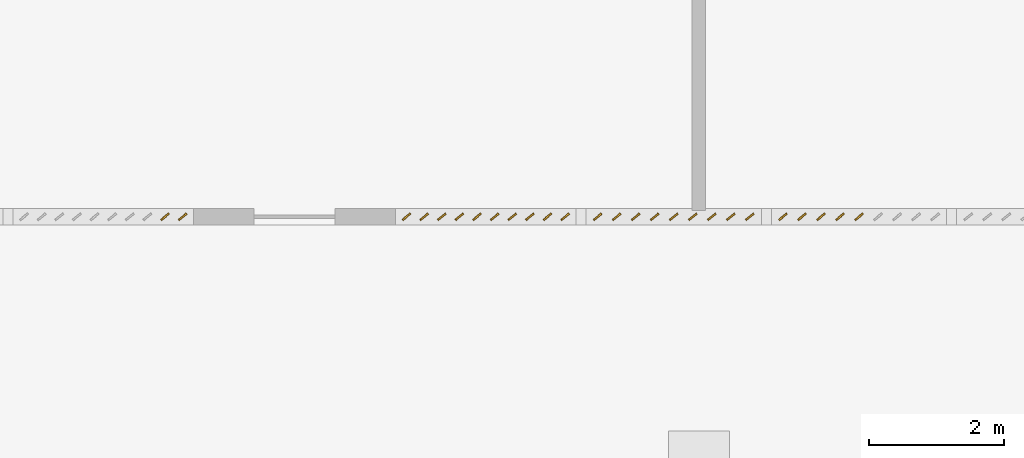
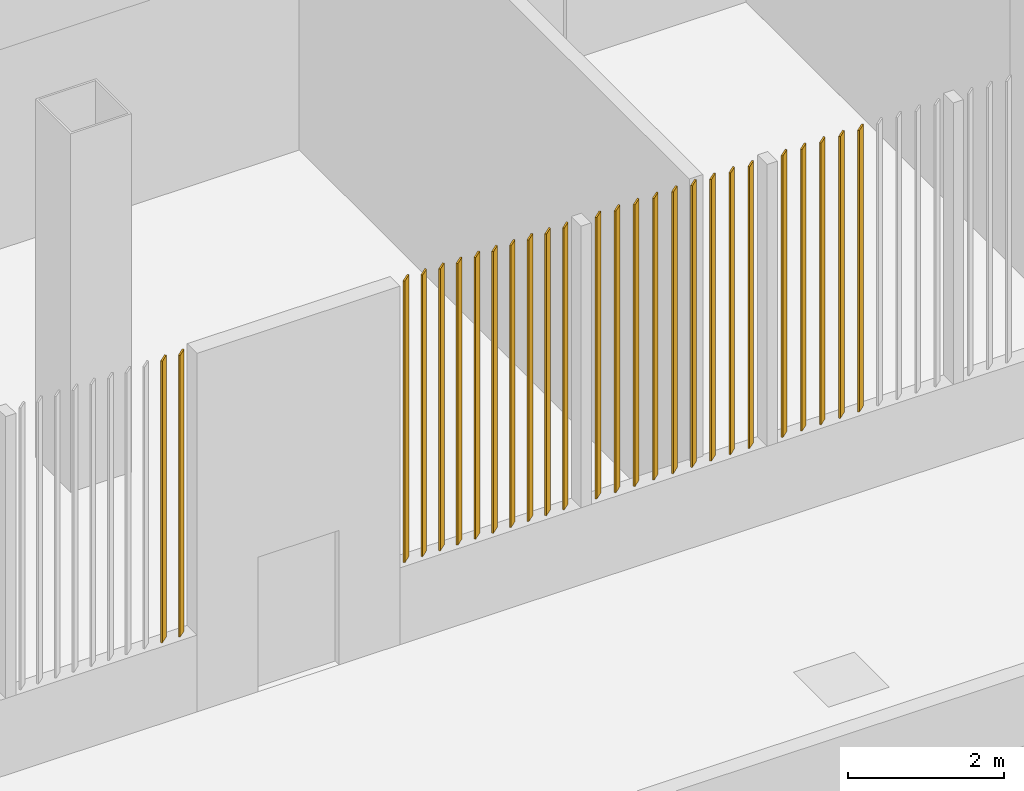
# One storey, part 5 of 9: 26 shading devices.
"""IFC4 building model written with IfcOpenShell, lengths in metres."""

from ifc_helpers import new_model, si_unit, direction, frame, origin, origin_2d, place, context, subcontext, project, spatial, rectangle, extrude, material, material_profile, profile_set, type_object, element, save


model = new_model("IFC4")

# Units and contexts
model_context = context("Model", 3, precision=1e-05, world=origin(), true_north=direction((0.0, 1.0)))
body_context = subcontext(model_context, "Body", "Model", "MODEL_VIEW")
ifc_project = project(units=[si_unit("LENGTHUNIT", "METRE"), si_unit("AREAUNIT", "SQUARE_METRE"), si_unit("VOLUMEUNIT", "CUBIC_METRE"), si_unit("PLANEANGLEUNIT", "RADIAN"), si_unit("MASSUNIT", "GRAM", prefix="KILO")], contexts=[model_context])

# Site, building, storey
site_placement = place(None, origin())
site = spatial("IfcSite", under=ifc_project, at=site_placement, CompositionType="ELEMENT")
building_placement = place(site_placement, origin())
building = spatial("IfcBuilding", under=site, at=building_placement, Name="Kitamizu Gate Tower and Museum", CompositionType="ELEMENT")
storey_placement = place(building_placement, frame((0.0, 0.0, 283.35009765625)))
storey = spatial("IfcBuildingStorey", under=building, at=storey_placement, Name="L76", CompositionType="ELEMENT", Elevation=283.35009765625)

# Shading devices
ifc_material = material(Name="Bronze anodised aluminium", Category="aluminium")
ifc_material_profile = material_profile(ifc_material, rectangle(XDim=0.14990234375, YDim=0.02490234375, at=origin_2d()), Name="AL 25x150")
ifc_profile_set = profile_set([ifc_material_profile], Name="Bronze anodised aluminium")
shading_device_type = type_object("IfcShadingDeviceType", Name="LOUVRE FIN LVF1 25x150", PredefinedType="JALOUSIE", material=ifc_profile_set)
for number, where, z_axis, x_axis, name in (
    (1, (34.07763671875, 18.625, 1.199951171875), (0.0, 0.0, 1.0), (0.766044443119, 0.642787609687, 0.0), "Louvre fin SA8-9"),
    (2, (34.33935546875, 18.625, 1.199951171875), (0.0, 0.0, 1.0), (0.766044443119, 0.642787609687, 0.0), "Louvre fin SA8-10"),
    (3, (37.66064453125, 18.625, 1.199951171875), (0.0, 0.0, 1.0), (0.766044443119, 0.642787609687, 0.0), "Louvre fin SB1-1"),
    (4, (37.92236328125, 18.625, 1.199951171875), (0.0, 0.0, 1.0), (0.766044443119, 0.642787609687, 0.0), "Louvre fin SB1-2"),
    (5, (38.183837890625, 18.625, 1.199951171875), (0.0, 0.0, 1.0), (0.766044443119, 0.642787609687, 0.0), "Louvre fin SB1-3"),
    (6, (38.4453125, 18.625, 1.199951171875), (0.0, 0.0, 1.0), (0.766044443119, 0.642787609687, 0.0), "Louvre fin SB1-4"),
    (7, (38.706787109375, 18.625, 1.199951171875), (0.0, 0.0, 1.0), (0.766044443119, 0.642787609687, 0.0), "Louvre fin SB1-5"),
    (8, (38.96826171875, 18.625, 1.199951171875), (0.0, 0.0, 1.0), (0.766044443119, 0.642787609687, 0.0), "Louvre fin SB1-6"),
    (9, (39.229736328125, 18.625, 1.199951171875), (0.0, 0.0, 1.0), (0.766044443119, 0.642787609687, 0.0), "Louvre fin SB1-7"),
    (10, (39.4912109375, 18.625, 1.199951171875), (0.0, 0.0, 1.0), (0.766044443119, 0.642787609687, 0.0), "Louvre fin SB1-8"),
    (11, (39.752685546875, 18.625, 1.199951171875), (0.0, 0.0, 1.0), (0.766044443119, 0.642787609687, 0.0), "Louvre fin SB1-9"),
    (12, (40.01416015625, 18.625, 1.199951171875), (0.0, 0.0, 1.0), (0.766044443119, 0.642787609687, 0.0), "Louvre fin SB1-10"),
    (13, (40.49609375, 18.625, 1.199951171875), (0.0, 0.0, 1.0), (0.766044443119, 0.642787609687, 0.0), "Louvre fin SB2-1"),
    (14, (40.7783203125, 18.625, 1.199951171875), (0.0, 0.0, 1.0), (0.766044443119, 0.642787609687, 0.0), "Louvre fin SB2-2"),
    (15, (41.060546875, 18.625, 1.199951171875), (0.0, 0.0, 1.0), (0.766044443119, 0.642787609687, 0.0), "Louvre fin SB2-3"),
    (16, (41.3427734375, 18.625, 1.199951171875), (0.0, 0.0, 1.0), (0.766044443119, 0.642787609687, 0.0), "Louvre fin SB2-4"),
    (17, (41.625, 18.625, 1.199951171875), (0.0, 0.0, 1.0), (0.766044443119, 0.642787609687, 0.0), "Louvre fin SB2-5"),
    (18, (41.9072265625, 18.625, 1.199951171875), (0.0, 0.0, 1.0), (0.766044443119, 0.642787609687, 0.0), "Louvre fin SB2-6"),
    (19, (42.189453125, 18.625, 1.199951171875), (0.0, 0.0, 1.0), (0.766044443119, 0.642787609687, 0.0), "Louvre fin SB2-7"),
    (20, (42.4716796875, 18.625, 1.199951171875), (0.0, 0.0, 1.0), (0.766044443119, 0.642787609687, 0.0), "Louvre fin SB2-8"),
    (21, (42.75390625, 18.625, 1.199951171875), (0.0, 0.0, 1.0), (0.766044443119, 0.642787609687, 0.0), "Louvre fin SB2-9"),
    (22, (43.24609375, 18.625, 1.199951171875), (0.0, 0.0, 1.0), (0.766044443119, 0.642787609687, 0.0), "Louvre fin SB3-1"),
    (23, (43.5283203125, 18.625, 1.199951171875), (0.0, 0.0, 1.0), (0.766044443119, 0.642787609687, 0.0), "Louvre fin SB3-2"),
    (24, (43.810546875, 18.625, 1.199951171875), (0.0, 0.0, 1.0), (0.766044443119, 0.642787609687, 0.0), "Louvre fin SB3-3"),
    (25, (44.0927734375, 18.625, 1.199951171875), (0.0, 0.0, 1.0), (0.766044443119, 0.642787609687, 0.0), "Louvre fin SB3-4"),
    (26, (44.375, 18.625, 1.199951171875), (0.0, 0.0, 1.0), (0.766044443119, 0.642787609687, 0.0), "Louvre fin SB3-5"),
):
    element("IfcShadingDevice", number, at=place(storey_placement, frame(where, z_axis=z_axis, x_axis=x_axis)), inside=storey, type_object=shading_device_type, Name=name, PredefinedType="JALOUSIE", context=body_context, shape_type="SweptSolid", body=[
        extrude(rectangle(XDim=0.14990234375, YDim=0.02490234375, at=origin_2d()), origin(), (0.0, 0.0, 1.0), 4.39990234375),
    ])

save(model, "model.ifc")
